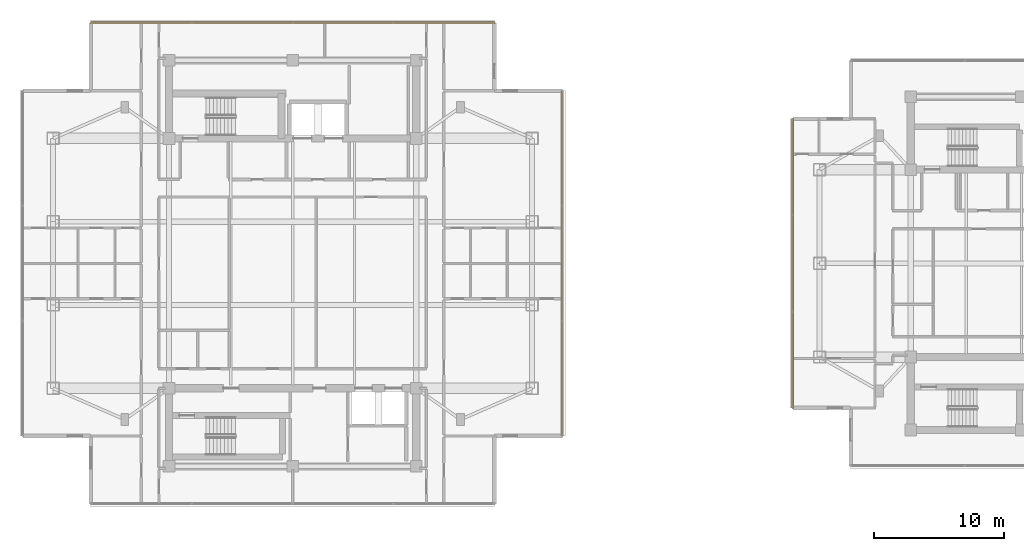
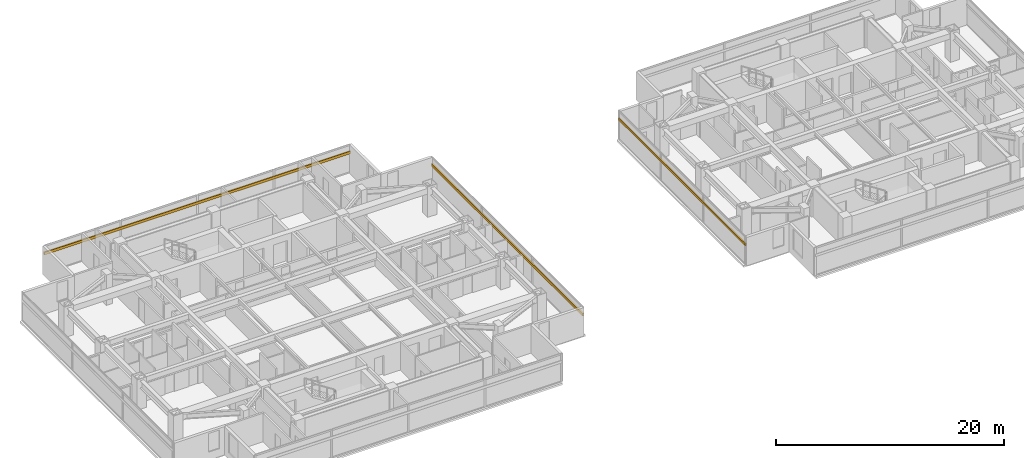
# One storey, part 21 of 24: 3 shading devices.
"""IFC4 building model written with IfcOpenShell, lengths in metres."""

from ifc_helpers import new_model, si_unit, direction, frame, origin, origin_2d, place, context, subcontext, project, spatial, rectangle, extrude, material, material_profile, profile_set, type_object, element, save


model = new_model("IFC4")

# Units and contexts
model_context = context("Model", 3, precision=1e-05, world=origin(), true_north=direction((0.0, 1.0)))
body_context = subcontext(model_context, "Body", "Model", "MODEL_VIEW")
ifc_project = project(units=[si_unit("LENGTHUNIT", "METRE"), si_unit("AREAUNIT", "SQUARE_METRE"), si_unit("VOLUMEUNIT", "CUBIC_METRE"), si_unit("PLANEANGLEUNIT", "RADIAN"), si_unit("MASSUNIT", "GRAM", prefix="KILO")], contexts=[model_context])

# Site, building, storey
site_placement = place(None, origin())
site = spatial("IfcSite", under=ifc_project, at=site_placement, CompositionType="ELEMENT")
building_placement = place(site_placement, origin())
building = spatial("IfcBuilding", under=site, at=building_placement, Name="Mirazonda Arch Towers", CompositionType="ELEMENT")
storey_placement = place(building_placement, frame((0.0, 0.0, 199.89990234375)))
storey = spatial("IfcBuildingStorey", under=building, at=storey_placement, Name="L57", CompositionType="ELEMENT", Elevation=199.89990234375)

# Shading devices
ifc_material = material(Name="Kiln-Fired Architectural Terracotta", Category="masonry")
ifc_material_profile_1 = material_profile(ifc_material, rectangle(XDim=0.1201171875, YDim=0.239990234375, at=origin_2d()), Name="TERRA-BAG-120x240")
ifc_profile_set_1 = profile_set([ifc_material_profile_1], Name="Kiln-Fired Architectural Terracotta")
shading_device_type_1 = type_object("IfcShadingDeviceType", Name="BAGUETTE-1", PredefinedType="USERDEFINED", material=ifc_profile_set_1)
shading_device_1_placement = place(storey_placement, frame((58.9326171875, 39.115234375, 2.181640625), z_axis=(0.0, -1.0, 0.0), x_axis=(1.0, 0.0, 0.0)))
element("IfcShadingDevice", 1, at=shading_device_1_placement, inside=storey, type_object=shading_device_type_1, Name="L57 Glazed Terracotta Sun-Screen Baguette CW-L57-T2-W", ObjectType="BAGUETTE", PredefinedType="USERDEFINED", context=body_context, shape_type="SweptSolid", body=[
    extrude(rectangle(XDim=0.1201171875, YDim=0.239990234375, at=origin_2d()), origin(), (0.0, 0.0, 1.0), 22.23046875),
])
ifc_material_profile_2 = material_profile(ifc_material, rectangle(XDim=0.139892578125, YDim=0.280029296875, at=origin_2d()), Name="TERRA-BAG-140x280")
ifc_profile_set_2 = profile_set([ifc_material_profile_2], Name="Kiln-Fired Architectural Terracotta")
shading_device_type_2 = type_object("IfcShadingDeviceType", Name="BAGUETTE-3", PredefinedType="USERDEFINED", material=ifc_profile_set_2)
shading_device_2_placement = place(storey_placement, frame((41.22998046875, 14.735107421875, 2.181640625), z_axis=(0.0, 1.0, 0.0), x_axis=(-1.0, 0.0, 0.0)))
element("IfcShadingDevice", 2, at=shading_device_2_placement, inside=storey, type_object=shading_device_type_2, Name="L57 Glazed Terracotta Sun-Screen Baguette CW-L57-T1-E", ObjectType="BAGUETTE", PredefinedType="USERDEFINED", context=body_context, shape_type="SweptSolid", body=[
    extrude(rectangle(XDim=0.139892578125, YDim=0.280029296875, at=origin_2d()), origin(), (0.0, 0.0, 1.0), 26.52978515625),
])
shading_device_3_placement = place(storey_placement, frame((4.985107421875, 46.47998046875, 2.181640625), z_axis=(1.0, 0.0, 0.0), x_axis=(0.0, 1.0, 0.0)))
element("IfcShadingDevice", 3, at=shading_device_3_placement, inside=storey, type_object=shading_device_type_2, Name="L57 Glazed Terracotta Sun-Screen Baguette CW-L57-T1-N", ObjectType="BAGUETTE", PredefinedType="USERDEFINED", context=body_context, shape_type="SweptSolid", body=[
    extrude(rectangle(XDim=0.139892578125, YDim=0.280029296875, at=origin_2d()), origin(), (0.0, 0.0, 1.0), 31.02978515625),
])

save(model, "model.ifc")
